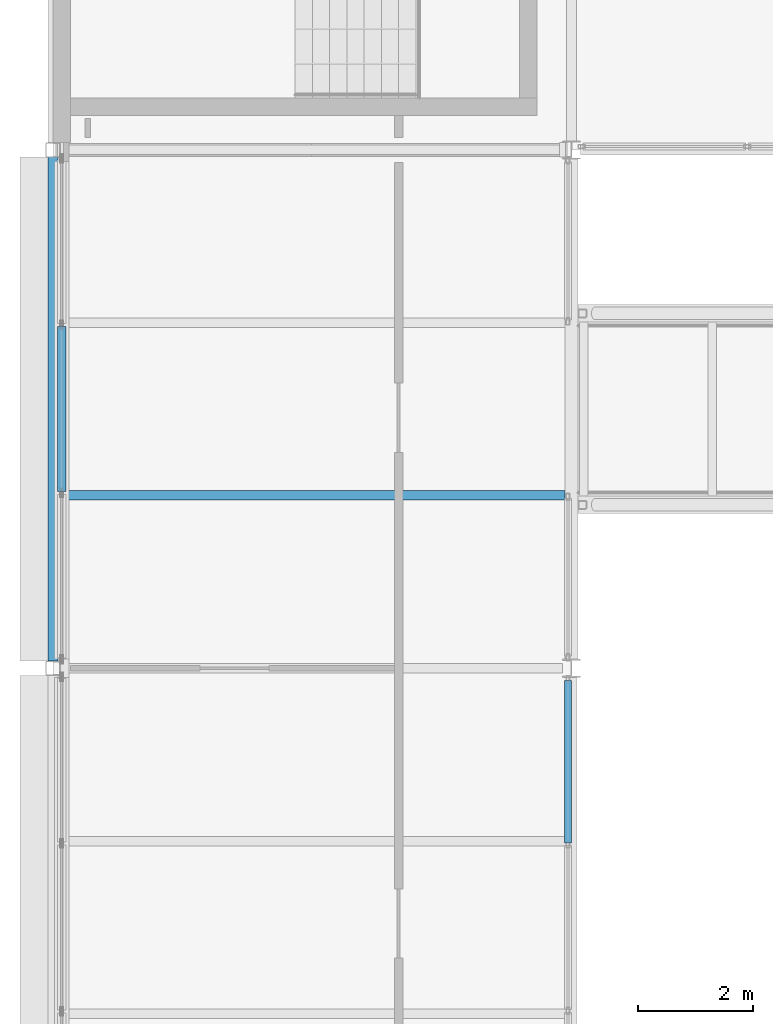
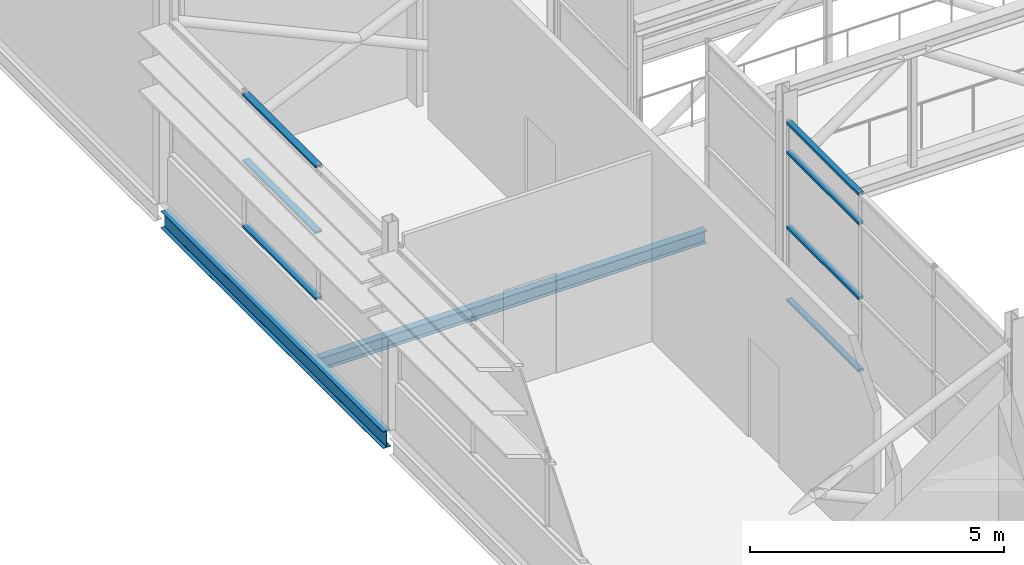
# One storey, part 20 of 94: 7 members, 2 beams, 2 elements without a shape of their own.
"""IFC4 building model written with IfcOpenShell, lengths in metres."""

from ifc_helpers import new_model, si_unit, direction, frame, origin, origin_2d, place, context, subcontext, project, spatial, hollow_rectangle, i_section, extrude, material, layer, layer_set, material_profile, profile_set, type_object, element, aggregate, save


model = new_model("IFC4")

# Units and contexts
model_context = context("Model", 3, precision=1e-05, world=origin(), true_north=direction((0.0, 1.0)))
body_context = subcontext(model_context, "Body", "Model", "MODEL_VIEW")
ifc_project = project(units=[si_unit("LENGTHUNIT", "METRE"), si_unit("AREAUNIT", "SQUARE_METRE"), si_unit("VOLUMEUNIT", "CUBIC_METRE"), si_unit("PLANEANGLEUNIT", "RADIAN"), si_unit("MASSUNIT", "GRAM", prefix="KILO")], contexts=[model_context])

# Site, building, storey
site_placement = place(None, origin())
site = spatial("IfcSite", under=ifc_project, at=site_placement, CompositionType="ELEMENT")
building_placement = place(site_placement, origin())
building = spatial("IfcBuilding", under=site, at=building_placement, Name="Shorebreak Coast Museum", CompositionType="ELEMENT")
storey_placement = place(building_placement, frame((0.0, 0.0, 31.0)))
storey = spatial("IfcBuildingStorey", under=building, at=storey_placement, Name="L05", CompositionType="ELEMENT", Elevation=31.0)

# Beams
ifc_material_1 = material(Name="Steel Grade 300", Category="steel")
ifc_material_profile_1 = material_profile(ifc_material_1, i_section(OverallWidth=0.177978515625, OverallDepth=0.406494140625, WebThickness=0.0078125, FlangeThickness=0.0126953125, FilletRadius=0.011474609375, at=origin_2d()), Name="410UB59.7")
ifc_profile_set_1 = profile_set([ifc_material_profile_1], Name="Steel Grade 300")
beam_type_1 = type_object("IfcBeamType", Name="Floor girder north-south 410UB59.7", PredefinedType="BEAM", material=ifc_profile_set_1)
beam_1_placement = place(storey_placement, frame((54.0, 72.125, -0.378173828125), z_axis=(0.0, 1.0, 0.0), x_axis=(-1.0, 0.0, 0.0)))
element("IfcBeam", 1, at=beam_1_placement, inside=storey, type_object=beam_type_1, Name="Floor girder north-south L05 7J", PredefinedType="BEAM", context=body_context, shape_type="SweptSolid", body=[
    extrude(i_section(OverallWidth=0.177978515625, OverallDepth=0.406494140625, WebThickness=0.0078125, FlangeThickness=0.0126953125, FilletRadius=0.011474609375, at=origin_2d()), origin(), (0.0, 0.0, 1.0), 8.75),
])
ifc_material_2 = material(Name="Steel Grade 300", Category="steel")
ifc_material_profile_2 = material_profile(ifc_material_2, i_section(OverallWidth=0.1650390625, OverallDepth=0.303955078125, WebThickness=0.006103515625, FlangeThickness=0.01025390625, FilletRadius=0.011474609375, at=origin_2d()), Name="310UB40.4")
ifc_profile_set_2 = profile_set([ifc_material_profile_2], Name="Steel Grade 300")
beam_type_2 = type_object("IfcBeamType", Name="Floor joist 310UB40.4", PredefinedType="JOIST", material=ifc_profile_set_2)
beam_2_placement = place(storey_placement, frame((54.089111328125, 75.0, -0.326904296875), z_axis=(1.0, 0.0, 0.0), x_axis=(0.0, 1.0, 0.0)))
element("IfcBeam", 2, at=beam_2_placement, inside=storey, type_object=beam_type_2, Name="Floor joist L05 bay 7J at 3000 mm", PredefinedType="JOIST", context=body_context, shape_type="SweptSolid", body=[
    extrude(i_section(OverallWidth=0.1650390625, OverallDepth=0.303955078125, WebThickness=0.006103515625, FlangeThickness=0.01025390625, FilletRadius=0.011474609375, at=origin_2d()), origin(), (0.0, 0.0, 1.0), 8.79638671875),
])

# Curtain wall, members
ifc_material_3 = material(Name="Aluminium", Category="aluminium")
ifc_layer_1 = layer(ifc_material_3, 0.1201171875)
ifc_layer_set_1 = layer_set([ifc_layer_1], Name="Aluminium")
curtain_wall_type_1 = type_object("IfcCurtainWallType", Name="Atrium fire screen", PredefinedType="NOTDEFINED", material=ifc_layer_set_1)
curtain_wall_1_placement = place(storey_placement, origin())
curtain_wall_1 = element("IfcCurtainWall", 3, at=curtain_wall_1_placement, inside=storey, type_object=curtain_wall_type_1, Name="Atrium screen L05 W 73", PredefinedType="NOTDEFINED")
ifc_material_4 = material(Name="Aluminium", Category="aluminium")
ifc_material_profile_3 = material_profile(ifc_material_4, hollow_rectangle(XDim=0.1201171875, YDim=0.06005859375, WallThickness=0.00341796875, at=origin_2d()), Name="AL 60x120 RHS")
ifc_profile_set_3 = profile_set([ifc_material_profile_3], Name="Aluminium")
member_type_1 = type_object("IfcMemberType", Name="Screen transom 120 x 50", PredefinedType="USERDEFINED", material=ifc_profile_set_3)
member_1_placement = place(storey_placement, frame((62.93994140625, 68.96826171875, 0.06005859375), z_axis=(0.0, 1.0, 0.0), x_axis=(-1.0, 0.0, 0.0)))
member_1 = element("IfcMember", 4, at=member_1_placement, type_object=member_type_1, Name="CW5 transom 3.1", ObjectType="TRANSOM", PredefinedType="USERDEFINED", context=body_context, shape_type="SweptSolid", body=[
    extrude(hollow_rectangle(XDim=0.1201171875, YDim=0.06005859375, WallThickness=0.00341796875, at=origin_2d()), origin(), (0.0, 0.0, 1.0), 2.818115234375),
])
member_2_placement = place(storey_placement, frame((62.93994140625, 68.96826171875, 1.800048828125), z_axis=(0.0, 1.0, 0.0), x_axis=(-1.0, 0.0, 0.0)))
member_2 = element("IfcMember", 5, at=member_2_placement, type_object=member_type_1, Name="CW5 transom 3.2", ObjectType="TRANSOM", PredefinedType="USERDEFINED", context=body_context, shape_type="SweptSolid", body=[
    extrude(hollow_rectangle(XDim=0.1201171875, YDim=0.06005859375, WallThickness=0.00341796875, at=origin_2d()), origin(), (0.0, 0.0, 1.0), 2.818115234375),
])
member_3_placement = place(storey_placement, frame((62.93994140625, 68.96826171875, 3.60009765625), z_axis=(0.0, 1.0, 0.0), x_axis=(-1.0, 0.0, 0.0)))
member_3 = element("IfcMember", 6, at=member_3_placement, type_object=member_type_1, Name="CW5 transom 3.3", ObjectType="TRANSOM", PredefinedType="USERDEFINED", context=body_context, shape_type="SweptSolid", body=[
    extrude(hollow_rectangle(XDim=0.1201171875, YDim=0.06005859375, WallThickness=0.00341796875, at=origin_2d()), origin(), (0.0, 0.0, 1.0), 2.818115234375),
])
member_4_placement = place(storey_placement, frame((62.93994140625, 68.96826171875, 4.3046875), z_axis=(0.0, 1.0, 0.0), x_axis=(-1.0, 0.0, 0.0)))
member_4 = element("IfcMember", 7, at=member_4_placement, type_object=member_type_1, Name="CW5 transom 3.4", ObjectType="TRANSOM", PredefinedType="USERDEFINED", context=body_context, shape_type="SweptSolid", body=[
    extrude(hollow_rectangle(XDim=0.1201171875, YDim=0.06005859375, WallThickness=0.00341796875, at=origin_2d()), origin(), (0.0, 0.0, 1.0), 2.818115234375),
])
aggregate(curtain_wall_1, [member_1, member_2, member_3, member_4])

ifc_material_5 = material(Name="Aluminium", Category="aluminium")
ifc_layer_2 = layer(ifc_material_5, 0.14990234375)
ifc_layer_set_2 = layer_set([ifc_layer_2], Name="Aluminium")
curtain_wall_type_2 = type_object("IfcCurtainWallType", Name="Storefront curtain wall", PredefinedType="NOTDEFINED", material=ifc_layer_set_2)
curtain_wall_2_placement = place(storey_placement, origin())
curtain_wall_2 = element("IfcCurtainWall", 8, at=curtain_wall_2_placement, inside=storey, type_object=curtain_wall_type_2, Name="Atrium Hall glazing L05 W 19", PredefinedType="NOTDEFINED")
ifc_material_6 = material(Name="Aluminium", Category="aluminium")
ifc_material_profile_4 = material_profile(ifc_material_6, hollow_rectangle(XDim=0.14990234375, YDim=0.050048828125, WallThickness=0.00390625, at=origin_2d()), Name="AL 50x150 RHS")
ifc_profile_set_4 = profile_set([ifc_material_profile_4], Name="Aluminium")
member_type_2 = type_object("IfcMemberType", Name="Storefront transom 150 x 50", PredefinedType="USERDEFINED", material=ifc_profile_set_4)
member_5_placement = place(storey_placement, frame((54.14990234375, 75.066650390625, 1.175048828125), z_axis=(0.0, 1.0, 0.0), x_axis=(-1.0, 0.0, 0.0)))
member_5 = element("IfcMember", 9, at=member_5_placement, type_object=member_type_2, Name="CW5 transom 2.1", ObjectType="TRANSOM", PredefinedType="USERDEFINED", context=body_context, shape_type="SweptSolid", body=[
    extrude(hollow_rectangle(XDim=0.14990234375, YDim=0.050048828125, WallThickness=0.00390625, at=origin_2d()), origin(), (0.0, 0.0, 1.0), 2.86669921875),
])
member_6_placement = place(storey_placement, frame((54.14990234375, 75.066650390625, 2.75927734375), z_axis=(0.0, 1.0, 0.0), x_axis=(-1.0, 0.0, 0.0)))
member_6 = element("IfcMember", 10, at=member_6_placement, type_object=member_type_2, Name="CW5 transom 2.2", ObjectType="TRANSOM", PredefinedType="USERDEFINED", context=body_context, shape_type="SweptSolid", body=[
    extrude(hollow_rectangle(XDim=0.14990234375, YDim=0.050048828125, WallThickness=0.00390625, at=origin_2d()), origin(), (0.0, 0.0, 1.0), 2.86669921875),
])
member_7_placement = place(storey_placement, frame((54.14990234375, 75.066650390625, 4.343505859375), z_axis=(0.0, 1.0, 0.0), x_axis=(-1.0, 0.0, 0.0)))
member_7 = element("IfcMember", 11, at=member_7_placement, type_object=member_type_2, Name="CW5 transom 2.3", ObjectType="TRANSOM", PredefinedType="USERDEFINED", context=body_context, shape_type="SweptSolid", body=[
    extrude(hollow_rectangle(XDim=0.14990234375, YDim=0.050048828125, WallThickness=0.00390625, at=origin_2d()), origin(), (0.0, 0.0, 1.0), 2.86669921875),
])
aggregate(curtain_wall_2, [member_5, member_6, member_7])

save(model, "model.ifc")
